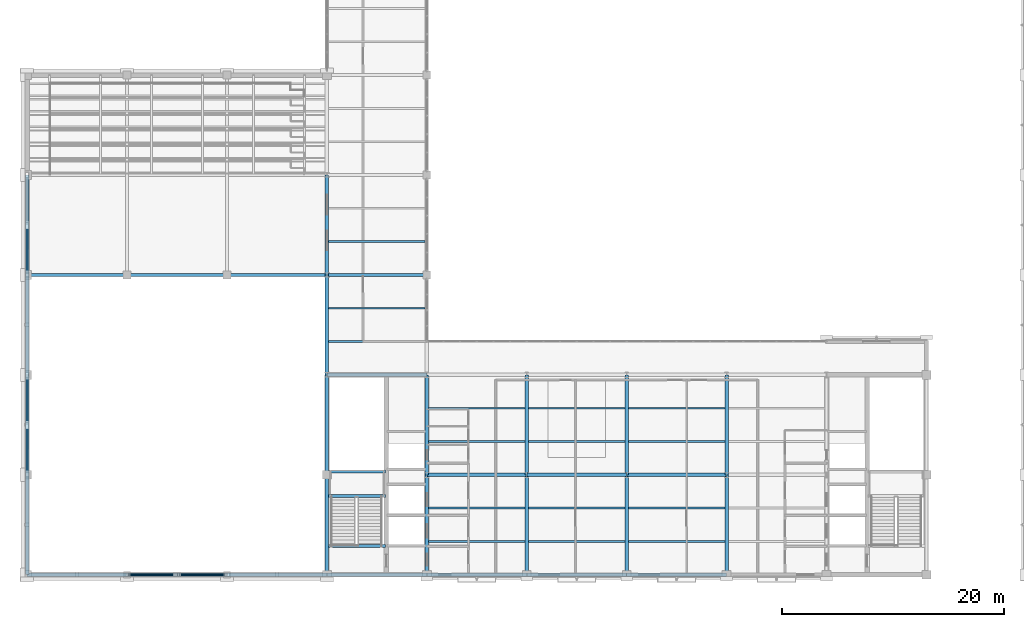
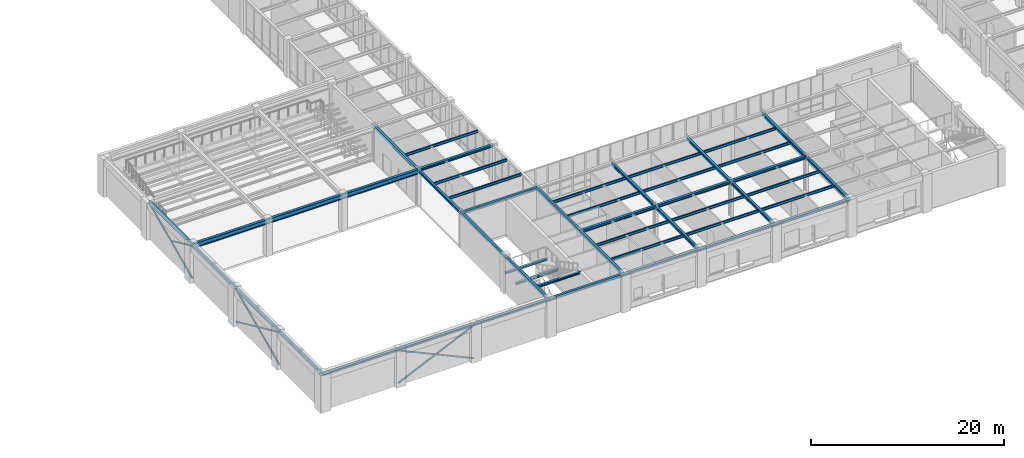
# One storey, part 14 of 98: 47 beams, 8 members.
"""IFC4 building model written with IfcOpenShell, lengths in metres."""

from ifc_helpers import new_model, si_unit, direction, frame, origin, origin_2d, place, context, subcontext, project, spatial, hollow_circle, i_section, extrude, material, material_profile, profile_set, type_object, element, save


model = new_model("IFC4")

# Units and contexts
model_context = context("Model", 3, precision=1e-05, world=origin(), true_north=direction((0.0, 1.0)))
body_context = subcontext(model_context, "Body", "Model", "MODEL_VIEW")
ifc_project = project(units=[si_unit("LENGTHUNIT", "METRE"), si_unit("AREAUNIT", "SQUARE_METRE"), si_unit("VOLUMEUNIT", "CUBIC_METRE"), si_unit("PLANEANGLEUNIT", "RADIAN"), si_unit("MASSUNIT", "GRAM", prefix="KILO")], contexts=[model_context])

# Site, building, storey
site_placement = place(None, origin())
site = spatial("IfcSite", under=ifc_project, at=site_placement, CompositionType="ELEMENT")
building_placement = place(site_placement, origin())
building = spatial("IfcBuilding", under=site, at=building_placement, Name="Lykobir Media Centre", CompositionType="ELEMENT")
storey_placement = place(building_placement, frame((0.0, 0.0, 10.199951171875)))
storey = spatial("IfcBuildingStorey", under=building, at=storey_placement, Name="L02", CompositionType="ELEMENT", Elevation=10.199951171875)

# Beams
ifc_material = material(Name="Steel S355", Category="steel")
ifc_material_profile_1 = material_profile(ifc_material, i_section(OverallWidth=0.300048828125, OverallDepth=0.330078125, WebThickness=0.009521484375, FlangeThickness=0.0166015625, at=origin_2d()), Name="HEA 340")
ifc_profile_set_1 = profile_set([ifc_material_profile_1], Name="Steel S355")
beam_type_1 = type_object("IfcBeamType", Name="BM-HEA340", PredefinedType="BEAM", material=ifc_profile_set_1)
for number, where, z_axis, x_axis, name in (
    (1, (36.0, 0.0, 4.39501953125), (0.0, 1.0, 0.0), (-1.0, 0.0, 0.0), "Beam BM-L02-0360-0000-0360-0090-1460"),
    (2, (36.0, 9.0, 4.39501953125), (0.0, 1.0, 0.0), (-1.0, 0.0, 0.0), "Beam BM-L02-0360-0090-0360-0180-1460"),
    (3, (45.0, 0.0, 4.39501953125), (0.0, 1.0, 0.0), (-1.0, 0.0, 0.0), "Beam BM-L02-0450-0000-0450-0090-1460"),
    (4, (45.0, 9.0, 4.39501953125), (0.0, 1.0, 0.0), (-1.0, 0.0, 0.0), "Beam BM-L02-0450-0090-0450-0180-1460"),
    (5, (54.0, 0.0, 4.39501953125), (0.0, 1.0, 0.0), (-1.0, 0.0, 0.0), "Beam BM-L02-0540-0000-0540-0090-1460"),
    (6, (54.0, 9.0, 4.39501953125), (0.0, 1.0, 0.0), (-1.0, 0.0, 0.0), "Beam BM-L02-0540-0090-0540-0180-1460"),
    (7, (63.0, 0.0, 4.39501953125), (0.0, 1.0, 0.0), (-1.0, 0.0, 0.0), "Beam BM-L02-0630-0000-0630-0090-1460"),
    (8, (63.0, 9.0, 4.39501953125), (0.0, 1.0, 0.0), (-1.0, 0.0, 0.0), "Beam BM-L02-0630-0090-0630-0180-1460"),
):
    element("IfcBeam", number, at=place(storey_placement, frame(where, z_axis=z_axis, x_axis=x_axis)), inside=storey, type_object=beam_type_1, Name=name, PredefinedType="BEAM", context=body_context, shape_type="SweptSolid", body=[
        extrude(i_section(OverallWidth=0.300048828125, OverallDepth=0.330078125, WebThickness=0.009521484375, FlangeThickness=0.0166015625, at=origin_2d()), origin(), (0.0, 0.0, 1.0), 9.0),
    ])
ifc_material_profile_2 = material_profile(ifc_material, i_section(OverallWidth=0.300048828125, OverallDepth=0.35009765625, WebThickness=0.010009765625, FlangeThickness=0.017578125, at=origin_2d()), Name="HEA 360")
ifc_profile_set_2 = profile_set([ifc_material_profile_2], Name="Steel S355")
beam_type_2 = type_object("IfcBeamType", Name="BM-HEA360", PredefinedType="BEAM", material=ifc_profile_set_2)
for number, where, z_axis, x_axis, name in (
    (9, (36.0, 9.0, 4.385009765625), (1.0, 0.0, 0.0), (0.0, 1.0, 0.0), "Beam BM-L02-0360-0090-0450-0090-1458"),
    (10, (45.0, 9.0, 4.385009765625), (1.0, 0.0, 0.0), (0.0, 1.0, 0.0), "Beam BM-L02-0450-0090-0540-0090-1458"),
    (11, (54.0, 9.0, 4.385009765625), (1.0, 0.0, 0.0), (0.0, 1.0, 0.0), "Beam BM-L02-0540-0090-0630-0090-1458"),
):
    element("IfcBeam", number, at=place(storey_placement, frame(where, z_axis=z_axis, x_axis=x_axis)), inside=storey, type_object=beam_type_2, Name=name, PredefinedType="BEAM", context=body_context, shape_type="SweptSolid", body=[
        extrude(i_section(OverallWidth=0.300048828125, OverallDepth=0.35009765625, WebThickness=0.010009765625, FlangeThickness=0.017578125, at=origin_2d()), origin(), (0.0, 0.0, 1.0), 9.0),
    ])
ifc_material_profile_3 = material_profile(ifc_material, i_section(OverallWidth=0.300048828125, OverallDepth=0.60009765625, WebThickness=0.015380859375, FlangeThickness=0.030029296875, at=origin_2d()), Name="HEB 600")
ifc_profile_set_3 = profile_set([ifc_material_profile_3], Name="Steel S355")
beam_type_3 = type_object("IfcBeamType", Name="BM-HEB600", PredefinedType="BEAM", material=ifc_profile_set_3)
beam_1_placement = place(storey_placement, frame((0.0, 27.0, 4.260009765625), z_axis=(1.0, 0.0, 0.0), x_axis=(0.0, 1.0, 0.0)))
element("IfcBeam", 12, at=beam_1_placement, inside=storey, type_object=beam_type_3, Name="Beam BM-L02-0000-0270-0270-0270-1446", PredefinedType="BEAM", context=body_context, shape_type="SweptSolid", body=[
    extrude(i_section(OverallWidth=0.300048828125, OverallDepth=0.60009765625, WebThickness=0.015380859375, FlangeThickness=0.030029296875, at=origin_2d()), origin(), (0.0, 0.0, 1.0), 27.0),
])
ifc_material_profile_4 = material_profile(ifc_material, i_section(OverallWidth=0.260009765625, OverallDepth=0.25, WebThickness=0.007568359375, FlangeThickness=0.012451171875, at=origin_2d()), Name="HEA 260")
ifc_profile_set_4 = profile_set([ifc_material_profile_4], Name="Steel S355")
beam_type_4 = type_object("IfcBeamType", Name="BM-ST260", PredefinedType="BEAM", material=ifc_profile_set_4)
beam_2_placement = place(storey_placement, frame((27.1298828125, 9.280029296875, 2.080078125), z_axis=(1.0, 0.0, 0.0), x_axis=(0.0, 1.0, 0.0)))
element("IfcBeam", 13, at=beam_2_placement, inside=storey, type_object=beam_type_4, Name="ST-1 L02 half-landing support beam", PredefinedType="BEAM", context=body_context, shape_type="SweptSolid", body=[
    extrude(i_section(OverallWidth=0.260009765625, OverallDepth=0.25, WebThickness=0.007568359375, FlangeThickness=0.012451171875, at=origin_2d()), origin(), (0.0, 0.0, 1.0), 5.14013671875),
])
ifc_material_profile_5 = material_profile(ifc_material, i_section(OverallWidth=0.280029296875, OverallDepth=0.27001953125, WebThickness=0.008056640625, FlangeThickness=0.012939453125, at=origin_2d()), Name="HEA 280")
ifc_profile_set_5 = profile_set([ifc_material_profile_5], Name="Steel S355")
beam_type_5 = type_object("IfcBeamType", Name="BM-ST280", PredefinedType="BEAM", material=ifc_profile_set_5)
for number, where, z_axis, x_axis, name in (
    (14, (27.1298828125, 2.580078125, 4.425048828125), (1.0, 0.0, 0.0), (0.0, 1.0, 0.0), "ST-1 L02 arrival trimmer beam"),
    (15, (27.1298828125, 7.080078125, 2.070068359375), (1.0, 0.0, 0.0), (0.0, 1.0, 0.0), "ST-1 L02 mid-landing trimmer beam"),
):
    element("IfcBeam", number, at=place(storey_placement, frame(where, z_axis=z_axis, x_axis=x_axis)), inside=storey, type_object=beam_type_5, Name=name, PredefinedType="BEAM", context=body_context, shape_type="SweptSolid", body=[
        extrude(i_section(OverallWidth=0.280029296875, OverallDepth=0.27001953125, WebThickness=0.008056640625, FlangeThickness=0.012939453125, at=origin_2d()), origin(), (0.0, 0.0, 1.0), 5.14013671875),
    ])

# Members
ifc_material_profile_6 = material_profile(ifc_material, hollow_circle(Radius=0.096923828125, WallThickness=0.010009765625, at=origin_2d()), Name="CHS 193.7x10.0")
ifc_profile_set_6 = profile_set([ifc_material_profile_6], Name="Steel S355")
member_type_1 = type_object("IfcMemberType", Name="BR-CHS194-E", PredefinedType="BRACE", material=ifc_profile_set_6)
for number, where, z_axis, x_axis, name in (
    (16, (0.0, 18.0, 0.1201171875), (0.0, -0.909254600078, 0.416240401976), (1.0, 0.0, 0.0), "Diagonal brace MEM2-L02-0000-0180-0103-0000-0136-0522"),
    (17, (0.0, 13.3544921875, 2.24658203125), (0.0, -0.909254600078, 0.416240401976), (1.0, 0.0, 0.0), "Diagonal brace MEM2-L02-0000-0134-0124-0000-0090-0523"),
    (18, (0.0, 31.3544921875, 2.24658203125), (0.0, -0.909254600078, 0.416240401976), (1.0, 0.0, 0.0), "Diagonal brace MEM2-L02-0000-0314-0124-0000-0270-0535"),
    (19, (18.0, 0.0, 0.1201171875), (-0.909254600078, 0.0, 0.416240401976), (0.0, -1.0, 0.0), "Diagonal brace MEM2-L02-0180-0000-0103-0136-0000-0558"),
    (20, (13.3544921875, 0.0, 2.24658203125), (-0.909254600078, 0.0, 0.416240401976), (0.0, -1.0, 0.0), "Diagonal brace MEM2-L02-0134-0000-0124-0090-0000-0559"),
):
    element("IfcMember", number, at=place(storey_placement, frame(where, z_axis=z_axis, x_axis=x_axis)), inside=storey, type_object=member_type_1, Name=name, PredefinedType="BRACE", context=body_context, shape_type="SweptSolid", body=[
        extrude(hollow_circle(Radius=0.096923828125, WallThickness=0.010009765625, at=origin_2d()), origin(), (0.0, 0.0, 1.0), 4.7890625),
    ])
ifc_material_profile_7 = material_profile(ifc_material, hollow_circle(Radius=0.109619140625, WallThickness=0.012451171875, at=origin_2d()), Name="CHS 219.1x12.5")
ifc_profile_set_7 = profile_set([ifc_material_profile_7], Name="Steel S355")
member_type_2 = type_object("IfcMemberType", Name="BR-CHS219-E", PredefinedType="BRACE", material=ifc_profile_set_7)
for number, where, z_axis, x_axis, name in (
    (21, (0.0, 9.0, 0.1201171875), (0.0, 0.909260911954, 0.416226613748), (-1.0, 0.0, 0.0), "Diagonal brace MEM2-L02-0000-0090-0103-0000-0180-0521"),
    (22, (0.0, 27.0, 0.1201171875), (0.0, 0.909260911954, 0.416226613748), (-1.0, 0.0, 0.0), "Diagonal brace MEM2-L02-0000-0270-0103-0000-0360-0533"),
    (23, (9.0, 0.0, 0.1201171875), (0.909260911954, 0.0, 0.416226613748), (0.0, 1.0, 0.0), "Diagonal brace MEM2-L02-0090-0000-0103-0180-0000-0557"),
):
    element("IfcMember", number, at=place(storey_placement, frame(where, z_axis=z_axis, x_axis=x_axis)), inside=storey, type_object=member_type_2, Name=name, PredefinedType="BRACE", context=body_context, shape_type="SweptSolid", body=[
        extrude(hollow_circle(Radius=0.109619140625, WallThickness=0.012451171875, at=origin_2d()), origin(), (0.0, 0.0, 1.0), 9.898193359375),
    ])

# Beams
ifc_material_profile_8 = material_profile(ifc_material, i_section(OverallWidth=0.159912109375, OverallDepth=0.330078125, WebThickness=0.007568359375, FlangeThickness=0.011474609375, at=origin_2d()), Name="IPE 330")
ifc_profile_set_8 = profile_set([ifc_material_profile_8], Name="Steel S355")
beam_type_6 = type_object("IfcBeamType", Name="JS-IPE330", PredefinedType="JOIST", material=ifc_profile_set_8)
for number, where, z_axis, x_axis, name in (
    (24, (27.14990234375, 21.0, 4.39501953125), (1.0, 0.0, 0.0), (0.0, 1.0, 0.0), "Beam BM-L02-0272-0210-0358-0210-1460"),
    (25, (27.14990234375, 24.0, 4.39501953125), (1.0, 0.0, 0.0), (0.0, 1.0, 0.0), "Beam BM-L02-0272-0240-0358-0240-1460"),
    (26, (27.14990234375, 30.0, 4.39501953125), (1.0, 0.0, 0.0), (0.0, 1.0, 0.0), "Beam BM-L02-0272-0300-0358-0300-1460"),
    (27, (36.14990234375, 3.0, 4.39501953125), (1.0, 0.0, 0.0), (0.0, 1.0, 0.0), "Beam BM-L02-0362-0030-0448-0030-1460"),
    (28, (36.14990234375, 6.0, 4.39501953125), (1.0, 0.0, 0.0), (0.0, 1.0, 0.0), "Beam BM-L02-0362-0060-0448-0060-1460"),
    (29, (36.14990234375, 12.0, 4.39501953125), (1.0, 0.0, 0.0), (0.0, 1.0, 0.0), "Beam BM-L02-0362-0120-0448-0120-1460"),
    (30, (36.14990234375, 15.0, 4.39501953125), (1.0, 0.0, 0.0), (0.0, 1.0, 0.0), "Beam BM-L02-0362-0150-0448-0150-1460"),
    (31, (45.14990234375, 3.0, 4.39501953125), (1.0, 0.0, 0.0), (0.0, 1.0, 0.0), "Beam BM-L02-0452-0030-0538-0030-1460"),
    (32, (45.14990234375, 6.0, 4.39501953125), (1.0, 0.0, 0.0), (0.0, 1.0, 0.0), "Beam BM-L02-0452-0060-0538-0060-1460"),
    (33, (45.14990234375, 12.0, 4.39501953125), (1.0, 0.0, 0.0), (0.0, 1.0, 0.0), "Beam BM-L02-0452-0120-0538-0120-1460"),
    (34, (45.14990234375, 15.0, 4.39501953125), (1.0, 0.0, 0.0), (0.0, 1.0, 0.0), "Beam BM-L02-0452-0150-0538-0150-1460"),
    (35, (54.14990234375, 3.0, 4.39501953125), (1.0, 0.0, 0.0), (0.0, 1.0, 0.0), "Beam BM-L02-0542-0030-0628-0030-1460"),
    (36, (54.14990234375, 6.0, 4.39501953125), (1.0, 0.0, 0.0), (0.0, 1.0, 0.0), "Beam BM-L02-0542-0060-0628-0060-1460"),
    (37, (54.14990234375, 12.0, 4.39501953125), (1.0, 0.0, 0.0), (0.0, 1.0, 0.0), "Beam BM-L02-0542-0120-0628-0120-1460"),
    (38, (54.14990234375, 15.0, 4.39501953125), (1.0, 0.0, 0.0), (0.0, 1.0, 0.0), "Beam BM-L02-0542-0150-0628-0150-1460"),
):
    element("IfcBeam", number, at=place(storey_placement, frame(where, z_axis=z_axis, x_axis=x_axis)), inside=storey, type_object=beam_type_6, Name=name, PredefinedType="JOIST", context=body_context, shape_type="SweptSolid", body=[
        extrude(i_section(OverallWidth=0.159912109375, OverallDepth=0.330078125, WebThickness=0.007568359375, FlangeThickness=0.011474609375, at=origin_2d()), origin(), (0.0, 0.0, 1.0), 8.7001953125),
    ])
ifc_material_profile_9 = material_profile(ifc_material, i_section(OverallWidth=0.300048828125, OverallDepth=0.31005859375, WebThickness=0.009033203125, FlangeThickness=0.015380859375, at=origin_2d()), Name="HEA 320")
ifc_profile_set_9 = profile_set([ifc_material_profile_9], Name="Steel S355")
beam_type_7 = type_object("IfcBeamType", Name="SP-HEA320", PredefinedType="SPANDREL", material=ifc_profile_set_9)
for number, where, z_axis, x_axis, name in (
    (39, (27.0, 18.0, 4.405029296875), (1.0, 0.0, 0.0), (0.0, 1.0, 0.0), "Beam BM-L02-0270-0180-0360-0180-1460"),
    (40, (27.0, 27.0, 4.405029296875), (1.0, 0.0, 0.0), (0.0, 1.0, 0.0), "Beam BM-L02-0270-0270-0360-0270-1460"),
    (41, (27.0, 0.0, 4.405029296875), (0.0, 1.0, 0.0), (-1.0, 0.0, 0.0), "Beam BM-L02-0270-0000-0270-0090-1460"),
    (42, (27.0, 9.0, 4.405029296875), (0.0, 1.0, 0.0), (-1.0, 0.0, 0.0), "Beam BM-L02-0270-0090-0270-0180-1460"),
    (43, (27.0, 18.0, 4.405029296875), (0.0, 1.0, 0.0), (-1.0, 0.0, 0.0), "Beam BM-L02-0270-0180-0270-0270-1460"),
    (44, (27.0, 27.0, 4.405029296875), (0.0, 1.0, 0.0), (-1.0, 0.0, 0.0), "Beam BM-L02-0270-0270-0270-0360-1460"),
):
    element("IfcBeam", number, at=place(storey_placement, frame(where, z_axis=z_axis, x_axis=x_axis)), inside=storey, type_object=beam_type_7, Name=name, PredefinedType="SPANDREL", context=body_context, shape_type="SweptSolid", body=[
        extrude(i_section(OverallWidth=0.300048828125, OverallDepth=0.31005859375, WebThickness=0.009033203125, FlangeThickness=0.015380859375, at=origin_2d()), origin(), (0.0, 0.0, 1.0), 9.0),
    ])
ifc_material_profile_10 = material_profile(ifc_material, i_section(OverallWidth=0.300048828125, OverallDepth=0.31005859375, WebThickness=0.009033203125, FlangeThickness=0.015380859375, at=origin_2d()), Name="HEA 320")
ifc_profile_set_10 = profile_set([ifc_material_profile_10], Name="Steel S355")
beam_type_8 = type_object("IfcBeamType", Name="SP-HEA320-E", PredefinedType="SPANDREL", material=ifc_profile_set_10)
for number, where, z_axis, x_axis, name in (
    (45, (0.0, 0.0, 4.39501953125), (1.0, 0.0, 0.0), (0.0, 1.0, 0.0), "Beam BM-L02-0000-0000-0090-0000-1460"),
    (46, (9.0, 0.0, 4.39501953125), (1.0, 0.0, 0.0), (0.0, 1.0, 0.0), "Beam BM-L02-0090-0000-0180-0000-1460"),
    (47, (18.0, 0.0, 4.39501953125), (1.0, 0.0, 0.0), (0.0, 1.0, 0.0), "Beam BM-L02-0180-0000-0270-0000-1460"),
    (48, (27.0, 0.0, 4.405029296875), (1.0, 0.0, 0.0), (0.0, 1.0, 0.0), "Beam BM-L02-0270-0000-0360-0000-1460"),
    (49, (36.0, 0.0, 4.405029296875), (1.0, 0.0, 0.0), (0.0, 1.0, 0.0), "Beam BM-L02-0360-0000-0450-0000-1460"),
    (50, (45.0, 0.0, 4.405029296875), (1.0, 0.0, 0.0), (0.0, 1.0, 0.0), "Beam BM-L02-0450-0000-0540-0000-1460"),
    (51, (54.0, 0.0, 4.405029296875), (1.0, 0.0, 0.0), (0.0, 1.0, 0.0), "Beam BM-L02-0540-0000-0630-0000-1460"),
    (52, (0.0, 0.0, 4.39501953125), (0.0, 1.0, 0.0), (-1.0, 0.0, 0.0), "Beam BM-L02-0000-0000-0000-0090-1460"),
    (53, (0.0, 9.0, 4.39501953125), (0.0, 1.0, 0.0), (-1.0, 0.0, 0.0), "Beam BM-L02-0000-0090-0000-0180-1460"),
    (54, (0.0, 18.0, 4.39501953125), (0.0, 1.0, 0.0), (-1.0, 0.0, 0.0), "Beam BM-L02-0000-0180-0000-0270-1460"),
    (55, (0.0, 27.0, 4.405029296875), (0.0, 1.0, 0.0), (-1.0, 0.0, 0.0), "Beam BM-L02-0000-0270-0000-0360-1460"),
):
    element("IfcBeam", number, at=place(storey_placement, frame(where, z_axis=z_axis, x_axis=x_axis)), inside=storey, type_object=beam_type_8, Name=name, PredefinedType="SPANDREL", context=body_context, shape_type="SweptSolid", body=[
        extrude(i_section(OverallWidth=0.300048828125, OverallDepth=0.31005859375, WebThickness=0.009033203125, FlangeThickness=0.015380859375, at=origin_2d()), origin(), (0.0, 0.0, 1.0), 9.0),
    ])

save(model, "model.ifc")
